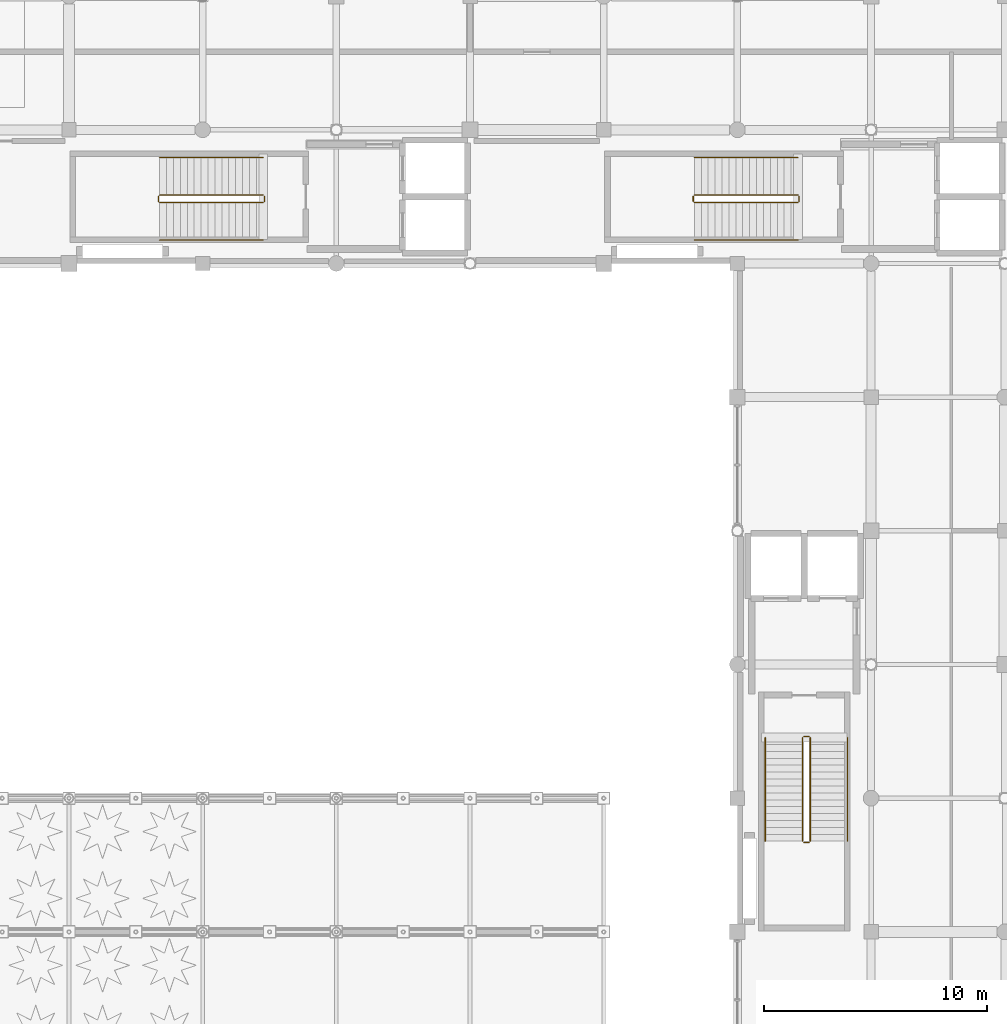
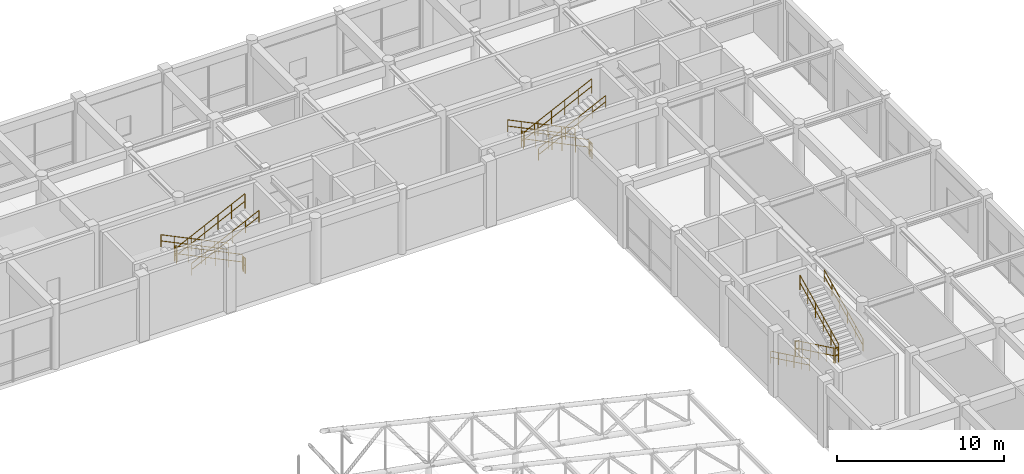
# One storey, part 112 of 112: 18 railings.
"""IFC4 building model written with IfcOpenShell, lengths in metres."""

from ifc_helpers import new_model, si_unit, direction, frame, origin, origin_2d, place, context, subcontext, project, spatial, circle, extrude, material, type_object, element, save


model = new_model("IFC4")

# Units and contexts
model_context = context("Model", 3, precision=1e-05, world=origin(), true_north=direction((0.0, 1.0)))
body_context = subcontext(model_context, "Body", "Model", "MODEL_VIEW")
ifc_project = project(units=[si_unit("LENGTHUNIT", "METRE"), si_unit("AREAUNIT", "SQUARE_METRE"), si_unit("VOLUMEUNIT", "CUBIC_METRE"), si_unit("PLANEANGLEUNIT", "RADIAN"), si_unit("MASSUNIT", "GRAM", prefix="KILO"), si_unit("THERMODYNAMICTEMPERATUREUNIT", "KELVIN"), si_unit("POWERUNIT", "WATT")], contexts=[model_context])

# Site, building, storey
site_placement = place(None, origin())
site = spatial("IfcSite", under=ifc_project, at=site_placement, CompositionType="ELEMENT")
building_placement = place(site_placement, origin())
building = spatial("IfcBuilding", under=site, at=building_placement, Name="Phaisarnlok Congress Hotel", CompositionType="ELEMENT")
storey_placement = place(building_placement, frame((0.0, 0.0, 19.800048828125)))
storey = spatial("IfcBuildingStorey", under=building, at=storey_placement, Name="L04", CompositionType="ELEMENT", Elevation=19.800048828125)

# Railings
ifc_material_1 = material(Name="Painted Galvanised Steel S275", Category="steel")
railing_type_1 = type_object("IfcRailingType", Name="RLG-STR-GUARD", PredefinedType="BALUSTRADE", material=ifc_material_1)
railing_1_placement = place(storey_placement, frame((164.719970703125, 111.070068359375, 0.14990234375)))
element("IfcRailing", 1, at=railing_1_placement, inside=storey, type_object=railing_type_1, Name="L04 ST-05 stair guard 1", PredefinedType="BALUSTRADE", context=body_context, shape_type="SweptSolid", body=[
    extrude(circle(Radius=0.02392578125, at=origin_2d()), frame((0.0, 0.0, 1.076171875), z_axis=(-0.900155664878, 0.0, 0.435568340204), x_axis=(0.0, -1.0, 0.0)), (0.0, 0.0, 1.0), 5.165771484375),
    extrude(circle(Radius=0.02392578125, at=origin_2d()), frame((0.0, 0.0, 0.52587890625), z_axis=(-0.900155664878, 0.0, 0.435568340204), x_axis=(0.0, -1.0, 0.0)), (0.0, 0.0, 1.0), 5.165771484375),
    extrude(circle(Radius=0.02099609375, at=origin_2d()), origin(), (0.0, 0.0, 1.0), 1.052001953125),
    extrude(circle(Radius=0.02099609375, at=origin_2d()), frame((-0.929931640625, 0.0, 0.449951171875)), (0.0, 0.0, 1.0), 1.052001953125),
    extrude(circle(Radius=0.02099609375, at=origin_2d()), frame((-1.85986328125, 0.0, 0.89990234375)), (0.0, 0.0, 1.0), 1.052001953125),
    extrude(circle(Radius=0.02099609375, at=origin_2d()), frame((-2.7900390625, 0.0, 1.35009765625)), (0.0, 0.0, 1.0), 1.052001953125),
    extrude(circle(Radius=0.02099609375, at=origin_2d()), frame((-3.719970703125, 0.0, 1.800048828125)), (0.0, 0.0, 1.0), 1.052001953125),
    extrude(circle(Radius=0.02099609375, at=origin_2d()), frame((-4.64990234375, 0.0, 2.25)), (0.0, 0.0, 1.0), 1.052001953125),
])
railing_2_placement = place(storey_placement, frame((160.02001953125, 111.02001953125, 2.39990234375)))
element("IfcRailing", 2, at=railing_2_placement, inside=storey, type_object=railing_type_1, Name="L04 ST-05 stair guard 2", PredefinedType="BALUSTRADE", context=body_context, shape_type="SweptSolid", body=[
    extrude(circle(Radius=0.02392578125, at=origin_2d()), frame((0.0, 0.0, 1.076171875), z_axis=(0.0, -1.0, 0.0), x_axis=(1.0, 0.0, 0.0)), (0.0, 0.0, 1.0), 0.239990234375),
    extrude(circle(Radius=0.02392578125, at=origin_2d()), frame((0.0, 0.0, 0.52587890625), z_axis=(0.0, -1.0, 0.0), x_axis=(1.0, 0.0, 0.0)), (0.0, 0.0, 1.0), 0.239990234375),
    extrude(circle(Radius=0.02099609375, at=origin_2d()), origin(), (0.0, 0.0, 1.0), 1.052001953125),
    extrude(circle(Radius=0.02099609375, at=origin_2d()), frame((0.0, -0.239990234375, 0.0)), (0.0, 0.0, 1.0), 1.052001953125),
])
railing_3_placement = place(storey_placement, frame((160.070068359375, 110.72998046875, 2.550048828125)))
element("IfcRailing", 3, at=railing_3_placement, inside=storey, type_object=railing_type_1, Name="L04 ST-05 stair guard 3", PredefinedType="BALUSTRADE", context=body_context, shape_type="SweptSolid", body=[
    extrude(circle(Radius=0.02392578125, at=origin_2d()), frame((0.0, 0.0, 1.076171875), z_axis=(0.900155664878, 0.0, 0.435568340204), x_axis=(0.0, 1.0, 0.0)), (0.0, 0.0, 1.0), 5.165771484375),
    extrude(circle(Radius=0.02392578125, at=origin_2d()), frame((0.0, 0.0, 0.52587890625), z_axis=(0.900155664878, 0.0, 0.435568340204), x_axis=(0.0, 1.0, 0.0)), (0.0, 0.0, 1.0), 5.165771484375),
    extrude(circle(Radius=0.02099609375, at=origin_2d()), origin(), (0.0, 0.0, 1.0), 1.052001953125),
    extrude(circle(Radius=0.02099609375, at=origin_2d()), frame((0.929931640625, 0.0, 0.449951171875)), (0.0, 0.0, 1.0), 1.052001953125),
    extrude(circle(Radius=0.02099609375, at=origin_2d()), frame((1.85986328125, 0.0, 0.89990234375)), (0.0, 0.0, 1.0), 1.052001953125),
    extrude(circle(Radius=0.02099609375, at=origin_2d()), frame((2.7900390625, 0.0, 1.35009765625)), (0.0, 0.0, 1.0), 1.052001953125),
    extrude(circle(Radius=0.02099609375, at=origin_2d()), frame((3.719970703125, 0.0, 1.800048828125)), (0.0, 0.0, 1.0), 1.052001953125),
    extrude(circle(Radius=0.02099609375, at=origin_2d()), frame((4.64990234375, 0.0, 2.25)), (0.0, 0.0, 1.0), 1.052001953125),
])
railing_4_placement = place(storey_placement, frame((164.77001953125, 111.02001953125, 0.0)))
element("IfcRailing", 4, at=railing_4_placement, inside=storey, type_object=railing_type_1, Name="L04 ST-05 stair guard 4", PredefinedType="BALUSTRADE", context=body_context, shape_type="SweptSolid", body=[
    extrude(circle(Radius=0.02392578125, at=origin_2d()), frame((0.0, 0.0, 1.076171875), z_axis=(0.0, -1.0, 0.0), x_axis=(1.0, 0.0, 0.0)), (0.0, 0.0, 1.0), 0.239990234375),
    extrude(circle(Radius=0.02392578125, at=origin_2d()), frame((0.0, 0.0, 0.52587890625), z_axis=(0.0, -1.0, 0.0), x_axis=(1.0, 0.0, 0.0)), (0.0, 0.0, 1.0), 0.239990234375),
    extrude(circle(Radius=0.02099609375, at=origin_2d()), origin(), (0.0, 0.0, 1.0), 1.052001953125),
    extrude(circle(Radius=0.02099609375, at=origin_2d()), frame((0.0, -0.239990234375, 0.0)), (0.0, 0.0, 1.0), 1.052001953125),
])
railing_5_placement = place(storey_placement, frame((140.719970703125, 111.070068359375, 0.14990234375)))
element("IfcRailing", 5, at=railing_5_placement, inside=storey, type_object=railing_type_1, Name="L04 ST-06 stair guard 1", PredefinedType="BALUSTRADE", context=body_context, shape_type="SweptSolid", body=[
    extrude(circle(Radius=0.02392578125, at=origin_2d()), frame((0.0, 0.0, 1.076171875), z_axis=(-0.900155664878, 0.0, 0.435568340204), x_axis=(0.0, -1.0, 0.0)), (0.0, 0.0, 1.0), 5.165771484375),
    extrude(circle(Radius=0.02392578125, at=origin_2d()), frame((0.0, 0.0, 0.52587890625), z_axis=(-0.900155664878, 0.0, 0.435568340204), x_axis=(0.0, -1.0, 0.0)), (0.0, 0.0, 1.0), 5.165771484375),
    extrude(circle(Radius=0.02099609375, at=origin_2d()), origin(), (0.0, 0.0, 1.0), 1.052001953125),
    extrude(circle(Radius=0.02099609375, at=origin_2d()), frame((-0.929931640625, 0.0, 0.449951171875)), (0.0, 0.0, 1.0), 1.052001953125),
    extrude(circle(Radius=0.02099609375, at=origin_2d()), frame((-1.85986328125, 0.0, 0.89990234375)), (0.0, 0.0, 1.0), 1.052001953125),
    extrude(circle(Radius=0.02099609375, at=origin_2d()), frame((-2.7900390625, 0.0, 1.35009765625)), (0.0, 0.0, 1.0), 1.052001953125),
    extrude(circle(Radius=0.02099609375, at=origin_2d()), frame((-3.719970703125, 0.0, 1.800048828125)), (0.0, 0.0, 1.0), 1.052001953125),
    extrude(circle(Radius=0.02099609375, at=origin_2d()), frame((-4.64990234375, 0.0, 2.25)), (0.0, 0.0, 1.0), 1.052001953125),
])
railing_6_placement = place(storey_placement, frame((136.02001953125, 111.02001953125, 2.39990234375)))
element("IfcRailing", 6, at=railing_6_placement, inside=storey, type_object=railing_type_1, Name="L04 ST-06 stair guard 2", PredefinedType="BALUSTRADE", context=body_context, shape_type="SweptSolid", body=[
    extrude(circle(Radius=0.02392578125, at=origin_2d()), frame((0.0, 0.0, 1.076171875), z_axis=(0.0, -1.0, 0.0), x_axis=(1.0, 0.0, 0.0)), (0.0, 0.0, 1.0), 0.239990234375),
    extrude(circle(Radius=0.02392578125, at=origin_2d()), frame((0.0, 0.0, 0.52587890625), z_axis=(0.0, -1.0, 0.0), x_axis=(1.0, 0.0, 0.0)), (0.0, 0.0, 1.0), 0.239990234375),
    extrude(circle(Radius=0.02099609375, at=origin_2d()), origin(), (0.0, 0.0, 1.0), 1.052001953125),
    extrude(circle(Radius=0.02099609375, at=origin_2d()), frame((0.0, -0.239990234375, 0.0)), (0.0, 0.0, 1.0), 1.052001953125),
])
railing_7_placement = place(storey_placement, frame((136.070068359375, 110.72998046875, 2.550048828125)))
element("IfcRailing", 7, at=railing_7_placement, inside=storey, type_object=railing_type_1, Name="L04 ST-06 stair guard 3", PredefinedType="BALUSTRADE", context=body_context, shape_type="SweptSolid", body=[
    extrude(circle(Radius=0.02392578125, at=origin_2d()), frame((0.0, 0.0, 1.076171875), z_axis=(0.900155664878, 0.0, 0.435568340204), x_axis=(0.0, 1.0, 0.0)), (0.0, 0.0, 1.0), 5.165771484375),
    extrude(circle(Radius=0.02392578125, at=origin_2d()), frame((0.0, 0.0, 0.52587890625), z_axis=(0.900155664878, 0.0, 0.435568340204), x_axis=(0.0, 1.0, 0.0)), (0.0, 0.0, 1.0), 5.165771484375),
    extrude(circle(Radius=0.02099609375, at=origin_2d()), origin(), (0.0, 0.0, 1.0), 1.052001953125),
    extrude(circle(Radius=0.02099609375, at=origin_2d()), frame((0.929931640625, 0.0, 0.449951171875)), (0.0, 0.0, 1.0), 1.052001953125),
    extrude(circle(Radius=0.02099609375, at=origin_2d()), frame((1.85986328125, 0.0, 0.89990234375)), (0.0, 0.0, 1.0), 1.052001953125),
    extrude(circle(Radius=0.02099609375, at=origin_2d()), frame((2.7900390625, 0.0, 1.35009765625)), (0.0, 0.0, 1.0), 1.052001953125),
    extrude(circle(Radius=0.02099609375, at=origin_2d()), frame((3.719970703125, 0.0, 1.800048828125)), (0.0, 0.0, 1.0), 1.052001953125),
    extrude(circle(Radius=0.02099609375, at=origin_2d()), frame((4.64990234375, 0.0, 2.25)), (0.0, 0.0, 1.0), 1.052001953125),
])
railing_8_placement = place(storey_placement, frame((140.77001953125, 111.02001953125, 0.0)))
element("IfcRailing", 8, at=railing_8_placement, inside=storey, type_object=railing_type_1, Name="L04 ST-06 stair guard 4", PredefinedType="BALUSTRADE", context=body_context, shape_type="SweptSolid", body=[
    extrude(circle(Radius=0.02392578125, at=origin_2d()), frame((0.0, 0.0, 1.076171875), z_axis=(0.0, -1.0, 0.0), x_axis=(1.0, 0.0, 0.0)), (0.0, 0.0, 1.0), 0.239990234375),
    extrude(circle(Radius=0.02392578125, at=origin_2d()), frame((0.0, 0.0, 0.52587890625), z_axis=(0.0, -1.0, 0.0), x_axis=(1.0, 0.0, 0.0)), (0.0, 0.0, 1.0), 0.239990234375),
    extrude(circle(Radius=0.02099609375, at=origin_2d()), origin(), (0.0, 0.0, 1.0), 1.052001953125),
    extrude(circle(Radius=0.02099609375, at=origin_2d()), frame((0.0, -0.239990234375, 0.0)), (0.0, 0.0, 1.0), 1.052001953125),
])
railing_9_placement = place(storey_placement, frame((164.929931640625, 86.719970703125, 0.14990234375)))
element("IfcRailing", 9, at=railing_9_placement, inside=storey, type_object=railing_type_1, Name="L04 ST-09 stair guard 1", PredefinedType="BALUSTRADE", context=body_context, shape_type="SweptSolid", body=[
    extrude(circle(Radius=0.02392578125, at=origin_2d()), frame((0.0, 0.0, 1.076171875), z_axis=(0.0, -0.900155664878, 0.435568340204), x_axis=(1.0, 0.0, 0.0)), (0.0, 0.0, 1.0), 5.165771484375),
    extrude(circle(Radius=0.02392578125, at=origin_2d()), frame((0.0, 0.0, 0.52587890625), z_axis=(0.0, -0.900155664878, 0.435568340204), x_axis=(1.0, 0.0, 0.0)), (0.0, 0.0, 1.0), 5.165771484375),
    extrude(circle(Radius=0.02099609375, at=origin_2d()), origin(), (0.0, 0.0, 1.0), 1.052001953125),
    extrude(circle(Radius=0.02099609375, at=origin_2d()), frame((0.0, -0.929931640625, 0.449951171875)), (0.0, 0.0, 1.0), 1.052001953125),
    extrude(circle(Radius=0.02099609375, at=origin_2d()), frame((0.0, -1.85986328125, 0.89990234375)), (0.0, 0.0, 1.0), 1.052001953125),
    extrude(circle(Radius=0.02099609375, at=origin_2d()), frame((0.0, -2.7900390625, 1.35009765625)), (0.0, 0.0, 1.0), 1.052001953125),
    extrude(circle(Radius=0.02099609375, at=origin_2d()), frame((0.0, -3.719970703125, 1.800048828125)), (0.0, 0.0, 1.0), 1.052001953125),
    extrude(circle(Radius=0.02099609375, at=origin_2d()), frame((0.0, -4.64990234375, 2.25)), (0.0, 0.0, 1.0), 1.052001953125),
])
railing_10_placement = place(storey_placement, frame((164.97998046875, 82.02001953125, 2.39990234375)))
element("IfcRailing", 10, at=railing_10_placement, inside=storey, type_object=railing_type_1, Name="L04 ST-09 stair guard 2", PredefinedType="BALUSTRADE", context=body_context, shape_type="SweptSolid", body=[
    extrude(circle(Radius=0.02392578125, at=origin_2d()), frame((0.0, 0.0, 1.076171875), z_axis=(1.0, 0.0, 0.0), x_axis=(0.0, 1.0, 0.0)), (0.0, 0.0, 1.0), 0.239990234375),
    extrude(circle(Radius=0.02392578125, at=origin_2d()), frame((0.0, 0.0, 0.52587890625), z_axis=(1.0, 0.0, 0.0), x_axis=(0.0, 1.0, 0.0)), (0.0, 0.0, 1.0), 0.239990234375),
    extrude(circle(Radius=0.02099609375, at=origin_2d()), origin(), (0.0, 0.0, 1.0), 1.052001953125),
    extrude(circle(Radius=0.02099609375, at=origin_2d()), frame((0.239990234375, 0.0, 0.0)), (0.0, 0.0, 1.0), 1.052001953125),
])
railing_11_placement = place(storey_placement, frame((165.27001953125, 82.070068359375, 2.550048828125)))
element("IfcRailing", 11, at=railing_11_placement, inside=storey, type_object=railing_type_1, Name="L04 ST-09 stair guard 3", PredefinedType="BALUSTRADE", context=body_context, shape_type="SweptSolid", body=[
    extrude(circle(Radius=0.02392578125, at=origin_2d()), frame((0.0, 0.0, 1.076171875), z_axis=(0.0, 0.900155664878, 0.435568340204), x_axis=(-1.0, 0.0, 0.0)), (0.0, 0.0, 1.0), 5.165771484375),
    extrude(circle(Radius=0.02392578125, at=origin_2d()), frame((0.0, 0.0, 0.52587890625), z_axis=(0.0, 0.900155664878, 0.435568340204), x_axis=(-1.0, 0.0, 0.0)), (0.0, 0.0, 1.0), 5.165771484375),
    extrude(circle(Radius=0.02099609375, at=origin_2d()), origin(), (0.0, 0.0, 1.0), 1.052001953125),
    extrude(circle(Radius=0.02099609375, at=origin_2d()), frame((0.0, 0.929931640625, 0.449951171875)), (0.0, 0.0, 1.0), 1.052001953125),
    extrude(circle(Radius=0.02099609375, at=origin_2d()), frame((0.0, 1.85986328125, 0.89990234375)), (0.0, 0.0, 1.0), 1.052001953125),
    extrude(circle(Radius=0.02099609375, at=origin_2d()), frame((0.0, 2.7900390625, 1.35009765625)), (0.0, 0.0, 1.0), 1.052001953125),
    extrude(circle(Radius=0.02099609375, at=origin_2d()), frame((0.0, 3.719970703125, 1.800048828125)), (0.0, 0.0, 1.0), 1.052001953125),
    extrude(circle(Radius=0.02099609375, at=origin_2d()), frame((0.0, 4.64990234375, 2.25)), (0.0, 0.0, 1.0), 1.052001953125),
])
railing_12_placement = place(storey_placement, frame((164.97998046875, 86.77001953125, 0.0)))
element("IfcRailing", 12, at=railing_12_placement, inside=storey, type_object=railing_type_1, Name="L04 ST-09 stair guard 4", PredefinedType="BALUSTRADE", context=body_context, shape_type="SweptSolid", body=[
    extrude(circle(Radius=0.02392578125, at=origin_2d()), frame((0.0, 0.0, 1.076171875), z_axis=(1.0, 0.0, 0.0), x_axis=(0.0, 1.0, 0.0)), (0.0, 0.0, 1.0), 0.239990234375),
    extrude(circle(Radius=0.02392578125, at=origin_2d()), frame((0.0, 0.0, 0.52587890625), z_axis=(1.0, 0.0, 0.0), x_axis=(0.0, 1.0, 0.0)), (0.0, 0.0, 1.0), 0.239990234375),
    extrude(circle(Radius=0.02099609375, at=origin_2d()), origin(), (0.0, 0.0, 1.0), 1.052001953125),
    extrude(circle(Radius=0.02099609375, at=origin_2d()), frame((0.239990234375, 0.0, 0.0)), (0.0, 0.0, 1.0), 1.052001953125),
])
ifc_material_2 = material(Name="Brushed Stainless Steel Grade 304", Category="steel")
railing_type_2 = type_object("IfcRailingType", Name="RLG-STR-HRAIL", PredefinedType="HANDRAIL", material=ifc_material_2)
railing_13_placement = place(storey_placement, frame((164.719970703125, 112.75, 0.14990234375)))
element("IfcRailing", 13, at=railing_13_placement, inside=storey, type_object=railing_type_2, Name="L04 ST-05 stair handrail 1", PredefinedType="HANDRAIL", context=body_context, shape_type="SweptSolid", body=[
    extrude(circle(Radius=0.02392578125, at=origin_2d()), frame((0.0, 0.0, 0.8759765625), z_axis=(-0.900155664878, 0.0, 0.435568340204), x_axis=(0.0, -1.0, 0.0)), (0.0, 0.0, 1.0), 5.165771484375),
    extrude(circle(Radius=0.02392578125, at=origin_2d()), frame((0.0, 0.0, 0.42578125), z_axis=(-0.900155664878, 0.0, 0.435568340204), x_axis=(0.0, -1.0, 0.0)), (0.0, 0.0, 1.0), 5.165771484375),
    extrude(circle(Radius=0.02099609375, at=origin_2d()), origin(), (0.0, 0.0, 1.0), 0.851806640625),
    extrude(circle(Radius=0.02099609375, at=origin_2d()), frame((-0.929931640625, 0.0, 0.449951171875)), (0.0, 0.0, 1.0), 0.851806640625),
    extrude(circle(Radius=0.02099609375, at=origin_2d()), frame((-1.85986328125, 0.0, 0.89990234375)), (0.0, 0.0, 1.0), 0.851806640625),
    extrude(circle(Radius=0.02099609375, at=origin_2d()), frame((-2.7900390625, 0.0, 1.35009765625)), (0.0, 0.0, 1.0), 0.851806640625),
    extrude(circle(Radius=0.02099609375, at=origin_2d()), frame((-3.719970703125, 0.0, 1.800048828125)), (0.0, 0.0, 1.0), 0.851806640625),
    extrude(circle(Radius=0.02099609375, at=origin_2d()), frame((-4.64990234375, 0.0, 2.25)), (0.0, 0.0, 1.0), 0.851806640625),
])
railing_14_placement = place(storey_placement, frame((160.070068359375, 109.050048828125, 2.550048828125)))
element("IfcRailing", 14, at=railing_14_placement, inside=storey, type_object=railing_type_2, Name="L04 ST-05 stair handrail 2", PredefinedType="HANDRAIL", context=body_context, shape_type="SweptSolid", body=[
    extrude(circle(Radius=0.02392578125, at=origin_2d()), frame((0.0, 0.0, 0.8759765625), z_axis=(0.900155664878, 0.0, 0.435568340204), x_axis=(0.0, 1.0, 0.0)), (0.0, 0.0, 1.0), 5.165771484375),
    extrude(circle(Radius=0.02392578125, at=origin_2d()), frame((0.0, 0.0, 0.42578125), z_axis=(0.900155664878, 0.0, 0.435568340204), x_axis=(0.0, 1.0, 0.0)), (0.0, 0.0, 1.0), 5.165771484375),
    extrude(circle(Radius=0.02099609375, at=origin_2d()), origin(), (0.0, 0.0, 1.0), 0.851806640625),
    extrude(circle(Radius=0.02099609375, at=origin_2d()), frame((0.929931640625, 0.0, 0.449951171875)), (0.0, 0.0, 1.0), 0.851806640625),
    extrude(circle(Radius=0.02099609375, at=origin_2d()), frame((1.85986328125, 0.0, 0.89990234375)), (0.0, 0.0, 1.0), 0.851806640625),
    extrude(circle(Radius=0.02099609375, at=origin_2d()), frame((2.7900390625, 0.0, 1.35009765625)), (0.0, 0.0, 1.0), 0.851806640625),
    extrude(circle(Radius=0.02099609375, at=origin_2d()), frame((3.719970703125, 0.0, 1.800048828125)), (0.0, 0.0, 1.0), 0.851806640625),
    extrude(circle(Radius=0.02099609375, at=origin_2d()), frame((4.64990234375, 0.0, 2.25)), (0.0, 0.0, 1.0), 0.851806640625),
])
railing_15_placement = place(storey_placement, frame((140.719970703125, 112.75, 0.14990234375)))
element("IfcRailing", 15, at=railing_15_placement, inside=storey, type_object=railing_type_2, Name="L04 ST-06 stair handrail 1", PredefinedType="HANDRAIL", context=body_context, shape_type="SweptSolid", body=[
    extrude(circle(Radius=0.02392578125, at=origin_2d()), frame((0.0, 0.0, 0.8759765625), z_axis=(-0.900155664878, 0.0, 0.435568340204), x_axis=(0.0, -1.0, 0.0)), (0.0, 0.0, 1.0), 5.165771484375),
    extrude(circle(Radius=0.02392578125, at=origin_2d()), frame((0.0, 0.0, 0.42578125), z_axis=(-0.900155664878, 0.0, 0.435568340204), x_axis=(0.0, -1.0, 0.0)), (0.0, 0.0, 1.0), 5.165771484375),
    extrude(circle(Radius=0.02099609375, at=origin_2d()), origin(), (0.0, 0.0, 1.0), 0.851806640625),
    extrude(circle(Radius=0.02099609375, at=origin_2d()), frame((-0.929931640625, 0.0, 0.449951171875)), (0.0, 0.0, 1.0), 0.851806640625),
    extrude(circle(Radius=0.02099609375, at=origin_2d()), frame((-1.85986328125, 0.0, 0.89990234375)), (0.0, 0.0, 1.0), 0.851806640625),
    extrude(circle(Radius=0.02099609375, at=origin_2d()), frame((-2.7900390625, 0.0, 1.35009765625)), (0.0, 0.0, 1.0), 0.851806640625),
    extrude(circle(Radius=0.02099609375, at=origin_2d()), frame((-3.719970703125, 0.0, 1.800048828125)), (0.0, 0.0, 1.0), 0.851806640625),
    extrude(circle(Radius=0.02099609375, at=origin_2d()), frame((-4.64990234375, 0.0, 2.25)), (0.0, 0.0, 1.0), 0.851806640625),
])
railing_16_placement = place(storey_placement, frame((136.070068359375, 109.050048828125, 2.550048828125)))
element("IfcRailing", 16, at=railing_16_placement, inside=storey, type_object=railing_type_2, Name="L04 ST-06 stair handrail 2", PredefinedType="HANDRAIL", context=body_context, shape_type="SweptSolid", body=[
    extrude(circle(Radius=0.02392578125, at=origin_2d()), frame((0.0, 0.0, 0.8759765625), z_axis=(0.900155664878, 0.0, 0.435568340204), x_axis=(0.0, 1.0, 0.0)), (0.0, 0.0, 1.0), 5.165771484375),
    extrude(circle(Radius=0.02392578125, at=origin_2d()), frame((0.0, 0.0, 0.42578125), z_axis=(0.900155664878, 0.0, 0.435568340204), x_axis=(0.0, 1.0, 0.0)), (0.0, 0.0, 1.0), 5.165771484375),
    extrude(circle(Radius=0.02099609375, at=origin_2d()), origin(), (0.0, 0.0, 1.0), 0.851806640625),
    extrude(circle(Radius=0.02099609375, at=origin_2d()), frame((0.929931640625, 0.0, 0.449951171875)), (0.0, 0.0, 1.0), 0.851806640625),
    extrude(circle(Radius=0.02099609375, at=origin_2d()), frame((1.85986328125, 0.0, 0.89990234375)), (0.0, 0.0, 1.0), 0.851806640625),
    extrude(circle(Radius=0.02099609375, at=origin_2d()), frame((2.7900390625, 0.0, 1.35009765625)), (0.0, 0.0, 1.0), 0.851806640625),
    extrude(circle(Radius=0.02099609375, at=origin_2d()), frame((3.719970703125, 0.0, 1.800048828125)), (0.0, 0.0, 1.0), 0.851806640625),
    extrude(circle(Radius=0.02099609375, at=origin_2d()), frame((4.64990234375, 0.0, 2.25)), (0.0, 0.0, 1.0), 0.851806640625),
])
railing_17_placement = place(storey_placement, frame((163.25, 86.719970703125, 0.14990234375)))
element("IfcRailing", 17, at=railing_17_placement, inside=storey, type_object=railing_type_2, Name="L04 ST-09 stair handrail 1", PredefinedType="HANDRAIL", context=body_context, shape_type="SweptSolid", body=[
    extrude(circle(Radius=0.02392578125, at=origin_2d()), frame((0.0, 0.0, 0.8759765625), z_axis=(0.0, -0.900155664878, 0.435568340204), x_axis=(1.0, 0.0, 0.0)), (0.0, 0.0, 1.0), 5.165771484375),
    extrude(circle(Radius=0.02392578125, at=origin_2d()), frame((0.0, 0.0, 0.42578125), z_axis=(0.0, -0.900155664878, 0.435568340204), x_axis=(1.0, 0.0, 0.0)), (0.0, 0.0, 1.0), 5.165771484375),
    extrude(circle(Radius=0.02099609375, at=origin_2d()), origin(), (0.0, 0.0, 1.0), 0.851806640625),
    extrude(circle(Radius=0.02099609375, at=origin_2d()), frame((0.0, -0.929931640625, 0.449951171875)), (0.0, 0.0, 1.0), 0.851806640625),
    extrude(circle(Radius=0.02099609375, at=origin_2d()), frame((0.0, -1.85986328125, 0.89990234375)), (0.0, 0.0, 1.0), 0.851806640625),
    extrude(circle(Radius=0.02099609375, at=origin_2d()), frame((0.0, -2.7900390625, 1.35009765625)), (0.0, 0.0, 1.0), 0.851806640625),
    extrude(circle(Radius=0.02099609375, at=origin_2d()), frame((0.0, -3.719970703125, 1.800048828125)), (0.0, 0.0, 1.0), 0.851806640625),
    extrude(circle(Radius=0.02099609375, at=origin_2d()), frame((0.0, -4.64990234375, 2.25)), (0.0, 0.0, 1.0), 0.851806640625),
])
railing_18_placement = place(storey_placement, frame((166.949951171875, 82.070068359375, 2.550048828125)))
element("IfcRailing", 18, at=railing_18_placement, inside=storey, type_object=railing_type_2, Name="L04 ST-09 stair handrail 2", PredefinedType="HANDRAIL", context=body_context, shape_type="SweptSolid", body=[
    extrude(circle(Radius=0.02392578125, at=origin_2d()), frame((0.0, 0.0, 0.8759765625), z_axis=(0.0, 0.900155664878, 0.435568340204), x_axis=(-1.0, 0.0, 0.0)), (0.0, 0.0, 1.0), 5.165771484375),
    extrude(circle(Radius=0.02392578125, at=origin_2d()), frame((0.0, 0.0, 0.42578125), z_axis=(0.0, 0.900155664878, 0.435568340204), x_axis=(-1.0, 0.0, 0.0)), (0.0, 0.0, 1.0), 5.165771484375),
    extrude(circle(Radius=0.02099609375, at=origin_2d()), origin(), (0.0, 0.0, 1.0), 0.851806640625),
    extrude(circle(Radius=0.02099609375, at=origin_2d()), frame((0.0, 0.929931640625, 0.449951171875)), (0.0, 0.0, 1.0), 0.851806640625),
    extrude(circle(Radius=0.02099609375, at=origin_2d()), frame((0.0, 1.85986328125, 0.89990234375)), (0.0, 0.0, 1.0), 0.851806640625),
    extrude(circle(Radius=0.02099609375, at=origin_2d()), frame((0.0, 2.7900390625, 1.35009765625)), (0.0, 0.0, 1.0), 0.851806640625),
    extrude(circle(Radius=0.02099609375, at=origin_2d()), frame((0.0, 3.719970703125, 1.800048828125)), (0.0, 0.0, 1.0), 0.851806640625),
    extrude(circle(Radius=0.02099609375, at=origin_2d()), frame((0.0, 4.64990234375, 2.25)), (0.0, 0.0, 1.0), 0.851806640625),
])

save(model, "model.ifc")
